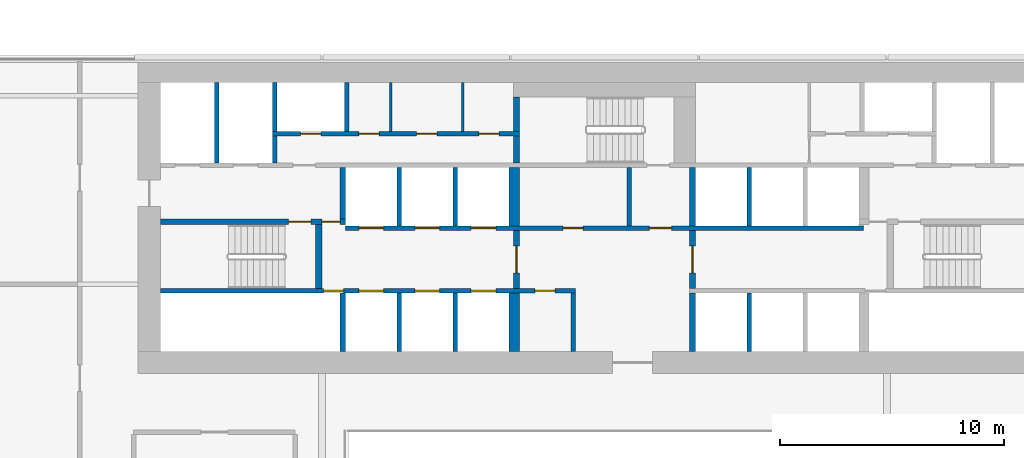
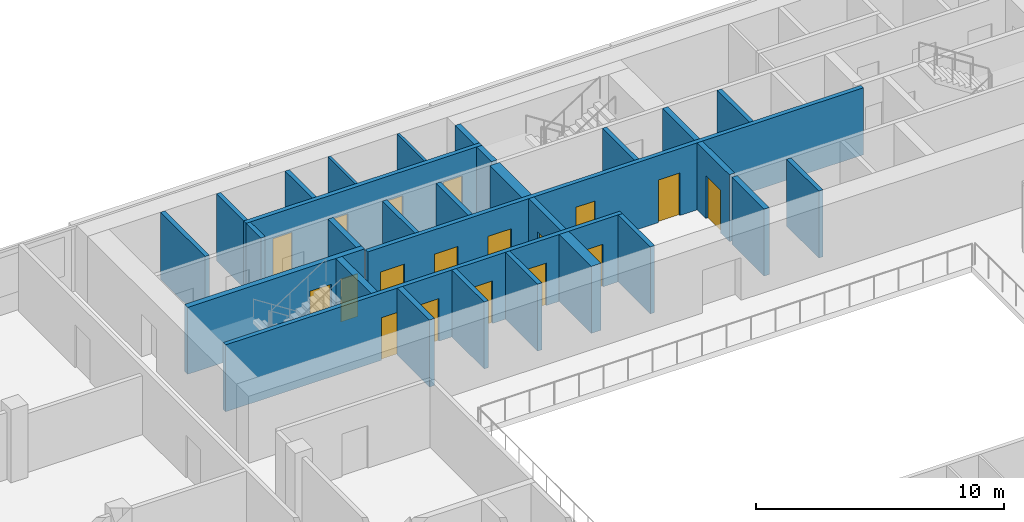
# One storey, part 20 of 26: 29 walls, 18 doors, 18 openings.
"""IFC4 building model written with IfcOpenShell, lengths in metres."""

from ifc_helpers import new_model, si_unit, direction, frame, frame_2d, origin, place, context, subcontext, project, spatial, rectangle, extrude, material, layer, layer_set, type_object, element, fill, save


model = new_model("IFC4")

# Units and contexts
model_context = context("Model", 3, precision=1e-05, world=origin(), true_north=direction((0.0, 1.0)))
body_context = subcontext(model_context, "Body", "Model", "MODEL_VIEW")
ifc_project = project(units=[si_unit("LENGTHUNIT", "METRE"), si_unit("AREAUNIT", "SQUARE_METRE"), si_unit("VOLUMEUNIT", "CUBIC_METRE"), si_unit("PLANEANGLEUNIT", "RADIAN"), si_unit("MASSUNIT", "GRAM", prefix="KILO")], contexts=[model_context])

# Site, building, storey
site_placement = place(None, origin())
site = spatial("IfcSite", under=ifc_project, at=site_placement, CompositionType="ELEMENT")
building_placement = place(site_placement, origin())
building = spatial("IfcBuilding", under=site, at=building_placement, Name="Saffron Gate Tower", CompositionType="ELEMENT")
storey_placement = place(building_placement, frame((0.0, 0.0, 138.449951171875)))
storey = spatial("IfcBuildingStorey", under=building, at=storey_placement, Name="L33", CompositionType="ELEMENT", Elevation=138.449951171875)

# Walls
ifc_material_1 = material(Name="Gypsum board partition on steel studs", Category="steel")
ifc_layer_1 = layer(ifc_material_1, 0.199951171875)
ifc_layer_set_1 = layer_set([ifc_layer_1], Name="CW10 Core partition 200")
wall_type_1 = type_object("IfcWallType", Name="CW10 Core partition 200", PredefinedType="PARTITIONING", material=ifc_layer_set_1)
for number, where, z_axis, x_axis, name in (
    (1, (86.199951171875, 62.39990234375, 0.0), (0.0, 0.0, 1.0), (0.0, 1.0, 0.0), "Wall CW10-L33-9"),
    (2, (88.699951171875, 68.0, 0.0), (0.0, 0.0, 1.0), (0.0, 1.0, 0.0), "Wall CW10-L33-24"),
):
    element("IfcWall", number, at=place(storey_placement, frame(where, z_axis=z_axis, x_axis=x_axis)), inside=storey, type_object=wall_type_1, Name=name, PredefinedType="PARTITIONING", context=body_context, shape_type="SweptSolid", body=[
        extrude(rectangle(XDim=2.60009765625, YDim=0.199951171875, at=frame_2d((1.300048828125, 0.0))), origin(), (0.0, 0.0, 1.0), 3.300048828125),
    ])
ifc_material_2 = material(Name="Concrete C70", Category="concrete")
ifc_layer_2 = layer(ifc_material_2, 0.25)
ifc_layer_set_2 = layer_set([ifc_layer_2], Name="CW2 RC core wall 250 C70")
wall_type_2 = type_object("IfcWallType", Name="CW2 RC core wall 250 C70", PredefinedType="SOLIDWALL", material=ifc_layer_set_2)
for number, where, z_axis, x_axis, name in (
    (3, (75.925048828125, 62.39990234375, 0.0), (0.0, 0.0, 1.0), (0.0, 1.0, 0.0), "Wall CW2-L33-5"),
    (4, (91.52490234375, 62.39990234375, 0.0), (0.0, 0.0, 1.0), (0.0, 1.0, 0.0), "Wall CW2-L33-10"),
):
    element("IfcWall", number, at=place(storey_placement, frame(where, z_axis=z_axis, x_axis=x_axis)), inside=storey, type_object=wall_type_2, Name=name, PredefinedType="SOLIDWALL", context=body_context, shape_type="SweptSolid", body=[
        extrude(rectangle(XDim=2.60009765625, YDim=0.25, at=frame_2d((1.300048828125, 0.0))), origin(), (0.0, 0.0, 1.0), 3.300048828125),
    ])

# Wall, opening, door
wall_1_placement = place(storey_placement, frame((83.675048828125, 65.199951171875, 0.0), z_axis=(0.0, 0.0, 1.0), x_axis=(0.0, 1.0, 0.0)))
wall_1 = element("IfcWall", 5, at=wall_1_placement, inside=storey, type_object=wall_type_2, Name="Wall CW2-L33-17", PredefinedType="SOLIDWALL", context=body_context, shape_type="SweptSolid", body=[
    extrude(rectangle(XDim=2.60009765625, YDim=0.25, at=frame_2d((1.300048828125, 0.0))), origin(), (0.0, 0.0, 1.0), 3.300048828125),
])
opening_1_placement = place(wall_1_placement, frame((0.699951171875, 0.0, 0.0)))
opening_1 = element("IfcOpeningElement", 6, at=opening_1_placement, cuts=wall_1, Name="Opening CR-07", PredefinedType="OPENING", context=body_context, shape_type="SweptSolid", body=[
    extrude(rectangle(XDim=1.199951171875, YDim=2.10009765625, at=frame_2d((0.60009765625, 1.050048828125))), frame((0.0, 0.135009765625, 0.0), z_axis=(0.0, -1.0, 0.0), x_axis=(1.0, 0.0, 0.0)), (0.0, 0.0, 1.0), 0.27001953125),
])
ifc_material_3 = material(Name="Steel fire door set", Category="steel")
door_type_1 = type_object("IfcDoorType", Name="CD3 Lobby door 1200x2100 EI 120", OperationType="NOTDEFINED", PredefinedType="DOOR", material=ifc_material_3)
door_1_placement = place(opening_1_placement, origin())
door_1 = element("IfcDoor", 7, at=door_1_placement, inside=storey, type_object=door_type_1, Name="DOOR CR-07", OperationType="SINGLE_SWING_RIGHT", OverallHeight=2.10009765625, OverallWidth=1.199951171875, PredefinedType="DOOR", context=body_context, shape_type="SweptSolid", body=[
    extrude(rectangle(XDim=1.199951171875, YDim=2.10009765625, at=frame_2d((0.60009765625, 1.050048828125))), frame((0.0, 0.02490234375, 0.0), z_axis=(0.0, -1.0, 0.0), x_axis=(1.0, 0.0, 0.0)), (0.0, 0.0, 1.0), 0.050048828125),
])
fill(opening_1, door_1)

wall_2_placement = place(storey_placement, frame((91.52490234375, 65.199951171875, 0.0), z_axis=(0.0, 0.0, 1.0), x_axis=(0.0, 1.0, 0.0)))
wall_2 = element("IfcWall", 8, at=wall_2_placement, inside=storey, type_object=wall_type_2, Name="Wall CW2-L33-18", PredefinedType="SOLIDWALL", context=body_context, shape_type="SweptSolid", body=[
    extrude(rectangle(XDim=2.60009765625, YDim=0.25, at=frame_2d((1.300048828125, 0.0))), origin(), (0.0, 0.0, 1.0), 3.300048828125),
])
opening_2_placement = place(wall_2_placement, frame((0.699951171875, 0.0, 0.0)))
opening_2 = element("IfcOpeningElement", 9, at=opening_2_placement, cuts=wall_2, Name="Opening CR-01", PredefinedType="OPENING", context=body_context, shape_type="SweptSolid", body=[
    extrude(rectangle(XDim=1.199951171875, YDim=2.10009765625, at=frame_2d((0.60009765625, 1.050048828125))), frame((0.0, 0.135009765625, 0.0), z_axis=(0.0, -1.0, 0.0), x_axis=(1.0, 0.0, 0.0)), (0.0, 0.0, 1.0), 0.27001953125),
])
door_2_placement = place(opening_2_placement, origin())
door_2 = element("IfcDoor", 10, at=door_2_placement, inside=storey, type_object=door_type_1, Name="DOOR CR-01", OperationType="SINGLE_SWING_RIGHT", OverallHeight=2.10009765625, OverallWidth=1.199951171875, PredefinedType="DOOR", context=body_context, shape_type="SweptSolid", body=[
    extrude(rectangle(XDim=1.199951171875, YDim=2.10009765625, at=frame_2d((0.60009765625, 1.050048828125))), frame((0.0, 0.02490234375, 0.0), z_axis=(0.0, -1.0, 0.0), x_axis=(1.0, 0.0, 0.0)), (0.0, 0.0, 1.0), 0.050048828125),
])
fill(opening_2, door_2)

# Wall
wall_3_placement = place(storey_placement, frame((91.52490234375, 68.0, 0.0), z_axis=(0.0, 0.0, 1.0), x_axis=(0.0, 1.0, 0.0)))
element("IfcWall", 11, at=wall_3_placement, inside=storey, type_object=wall_type_2, Name="Wall CW2-L33-25", PredefinedType="SOLIDWALL", context=body_context, shape_type="SweptSolid", body=[
    extrude(rectangle(XDim=2.60009765625, YDim=0.25, at=frame_2d((1.300048828125, 0.0))), origin(), (0.0, 0.0, 1.0), 3.300048828125),
])

# Wall, openings, doors
wall_4_placement = place(storey_placement, frame((67.800048828125, 68.175048828125, 0.0), z_axis=(0.0, 0.0, 1.0), x_axis=(1.0, 0.0, 0.0)))
wall_4 = element("IfcWall", 12, at=wall_4_placement, inside=storey, type_object=wall_type_2, Name="Wall CW2-L33-29", PredefinedType="SOLIDWALL", context=body_context, shape_type="SweptSolid", body=[
    extrude(rectangle(XDim=8.25, YDim=0.25, at=frame_2d((4.125, 0.0))), origin(), (0.0, 0.0, 1.0), 3.300048828125),
])
opening_3_placement = place(wall_4_placement, frame((5.699951171875, 0.0, 0.0)))
opening_3 = element("IfcOpeningElement", 13, at=opening_3_placement, cuts=wall_4, Name="Opening CR-15", PredefinedType="OPENING", context=body_context, shape_type="SweptSolid", body=[
    extrude(rectangle(XDim=1.0, YDim=2.10009765625, at=frame_2d((0.5, 1.050048828125))), frame((0.0, 0.135009765625, 0.0), z_axis=(0.0, -1.0, 0.0), x_axis=(1.0, 0.0, 0.0)), (0.0, 0.0, 1.0), 0.27001953125),
])
opening_4_placement = place(wall_4_placement, frame((7.199951171875, 0.0, 0.0)))
opening_4 = element("IfcOpeningElement", 14, at=opening_4_placement, cuts=wall_4, Name="Opening CR-06", PredefinedType="OPENING", context=body_context, shape_type="SweptSolid", body=[
    extrude(rectangle(XDim=0.800048828125, YDim=2.10009765625, at=frame_2d((0.39990234375, 1.050048828125))), frame((0.0, 0.135009765625, 0.0), z_axis=(0.0, -1.0, 0.0), x_axis=(1.0, 0.0, 0.0)), (0.0, 0.0, 1.0), 0.27001953125),
])
door_type_2 = type_object("IfcDoorType", Name="CD5 Stair door 1000x2100 EI 120", OperationType="NOTDEFINED", PredefinedType="DOOR", material=ifc_material_3)
door_3_placement = place(opening_3_placement, origin())
door_3 = element("IfcDoor", 15, at=door_3_placement, inside=storey, type_object=door_type_2, Name="DOOR CR-15", OperationType="SINGLE_SWING_RIGHT", OverallHeight=2.10009765625, OverallWidth=1.0, PredefinedType="DOOR", context=body_context, shape_type="SweptSolid", body=[
    extrude(rectangle(XDim=1.0, YDim=2.10009765625, at=frame_2d((0.5, 1.050048828125))), frame((0.0, 0.02490234375, 0.0), z_axis=(0.0, -1.0, 0.0), x_axis=(1.0, 0.0, 0.0)), (0.0, 0.0, 1.0), 0.050048828125),
])
fill(opening_3, door_3)
door_type_3 = type_object("IfcDoorType", Name="CD6 Lobby door 800x2100 EI 120", OperationType="NOTDEFINED", PredefinedType="DOOR", material=ifc_material_3)
door_4_placement = place(opening_4_placement, origin())
door_4 = element("IfcDoor", 16, at=door_4_placement, inside=storey, type_object=door_type_3, Name="DOOR CR-06", OperationType="SINGLE_SWING_LEFT", OverallHeight=2.10009765625, OverallWidth=0.800048828125, PredefinedType="DOOR", context=body_context, shape_type="SweptSolid", body=[
    extrude(rectangle(XDim=0.800048828125, YDim=2.10009765625, at=frame_2d((0.39990234375, 1.050048828125))), frame((0.0, 0.02490234375, 0.0), z_axis=(0.0, -1.0, 0.0), x_axis=(1.0, 0.0, 0.0)), (0.0, 0.0, 1.0), 0.050048828125),
])
fill(opening_4, door_4)

# Walls
wall_5_placement = place(storey_placement, frame((75.925048828125, 68.300048828125, 0.0), z_axis=(0.0, 0.0, 1.0), x_axis=(0.0, 1.0, 0.0)))
element("IfcWall", 17, at=wall_5_placement, inside=storey, type_object=wall_type_2, Name="Wall CW2-L33-31", PredefinedType="SOLIDWALL", context=body_context, shape_type="SweptSolid", body=[
    extrude(rectangle(XDim=2.300048828125, YDim=0.25, at=frame_2d((1.14990234375, 0.0))), origin(), (0.0, 0.0, 1.0), 3.300048828125),
])
wall_6_placement = place(storey_placement, frame((83.675048828125, 70.800048828125, 0.0), z_axis=(0.0, 0.0, 1.0), x_axis=(0.0, 1.0, 0.0)))
element("IfcWall", 18, at=wall_6_placement, inside=storey, type_object=wall_type_2, Name="Wall CW2-L33-36", PredefinedType="SOLIDWALL", context=body_context, shape_type="SweptSolid", body=[
    extrude(rectangle(XDim=1.199951171875, YDim=0.25, at=frame_2d((0.60009765625, 0.0))), origin(), (0.0, 0.0, 1.0), 3.300048828125),
])
wall_7_placement = place(storey_placement, frame((83.675048828125, 72.199951171875, 0.0), z_axis=(0.0, 0.0, 1.0), x_axis=(0.0, 1.0, 0.0)))
element("IfcWall", 19, at=wall_7_placement, inside=storey, type_object=wall_type_2, Name="Wall CW2-L33-47", PredefinedType="SOLIDWALL", context=body_context, shape_type="SweptSolid", body=[
    extrude(rectangle(XDim=1.550048828125, YDim=0.25, at=frame_2d((0.77490234375, 0.0))), origin(), (0.0, 0.0, 1.0), 3.300048828125),
])
ifc_layer_3 = layer(ifc_material_2, 0.199951171875)
ifc_layer_set_3 = layer_set([ifc_layer_3], Name="CW3 RC core wall 200 C70")
wall_type_3 = type_object("IfcWallType", Name="CW3 RC core wall 200 C70", PredefinedType="SOLIDWALL", material=ifc_layer_set_3)
for number, where, z_axis, x_axis, name in (
    (20, (78.449951171875, 62.39990234375, 0.0), (0.0, 0.0, 1.0), (0.0, 1.0, 0.0), "Wall CW3-L33-6"),
    (21, (80.949951171875, 62.39990234375, 0.0), (0.0, 0.0, 1.0), (0.0, 1.0, 0.0), "Wall CW3-L33-7"),
    (22, (94.050048828125, 62.39990234375, 0.0), (0.0, 0.0, 1.0), (0.0, 1.0, 0.0), "Wall CW3-L33-11"),
):
    element("IfcWall", number, at=place(storey_placement, frame(where, z_axis=z_axis, x_axis=x_axis)), inside=storey, type_object=wall_type_3, Name=name, PredefinedType="SOLIDWALL", context=body_context, shape_type="SweptSolid", body=[
        extrude(rectangle(XDim=2.60009765625, YDim=0.199951171875, at=frame_2d((1.300048828125, 0.0))), origin(), (0.0, 0.0, 1.0), 3.300048828125),
    ])

# Wall, openings, doors
wall_8_placement = place(storey_placement, frame((67.800048828125, 65.10009765625, 0.0), z_axis=(0.0, 0.0, 1.0), x_axis=(1.0, 0.0, 0.0)))
wall_8 = element("IfcWall", 23, at=wall_8_placement, inside=storey, type_object=wall_type_3, Name="Wall CW3-L33-14", PredefinedType="SOLIDWALL", context=body_context, shape_type="SweptSolid", body=[
    extrude(rectangle(XDim=18.5, YDim=0.199951171875, at=frame_2d((9.25, 0.0))), origin(), (0.0, 0.0, 1.0), 3.300048828125),
])
opening_5_placement = place(wall_8_placement, frame((7.27001953125, 0.0, 0.0)))
opening_5 = element("IfcOpeningElement", 24, at=opening_5_placement, cuts=wall_8, Name="Opening CR-49", PredefinedType="OPENING", context=body_context, shape_type="SweptSolid", body=[
    extrude(rectangle(XDim=0.89990234375, YDim=2.10009765625, at=frame_2d((0.449951171875, 1.050048828125))), frame((0.0, 0.10986328125, 0.0), z_axis=(0.0, -1.0, 0.0), x_axis=(1.0, 0.0, 0.0)), (0.0, 0.0, 1.0), 0.219970703125),
])
opening_6_placement = place(wall_8_placement, frame((8.85009765625, 0.0, 0.0)))
opening_6 = element("IfcOpeningElement", 25, at=opening_6_placement, cuts=wall_8, Name="Opening LD-LR1", PredefinedType="OPENING", context=body_context, shape_type="SweptSolid", body=[
    extrude(rectangle(XDim=1.10009765625, YDim=2.10009765625, at=frame_2d((0.550048828125, 1.050048828125))), frame((0.0, 0.10986328125, 0.0), z_axis=(0.0, -1.0, 0.0), x_axis=(1.0, 0.0, 0.0)), (0.0, 0.0, 1.0), 0.219970703125),
])
opening_7_placement = place(wall_8_placement, frame((11.35009765625, 0.0, 0.0)))
opening_7 = element("IfcOpeningElement", 26, at=opening_7_placement, cuts=wall_8, Name="Opening LD-LR2", PredefinedType="OPENING", context=body_context, shape_type="SweptSolid", body=[
    extrude(rectangle(XDim=1.10009765625, YDim=2.10009765625, at=frame_2d((0.550048828125, 1.050048828125))), frame((0.0, 0.10986328125, 0.0), z_axis=(0.0, -1.0, 0.0), x_axis=(1.0, 0.0, 0.0)), (0.0, 0.0, 1.0), 0.219970703125),
])
opening_8_placement = place(wall_8_placement, frame((13.85009765625, 0.0, 0.0)))
opening_8 = element("IfcOpeningElement", 27, at=opening_8_placement, cuts=wall_8, Name="Opening LD-LR3", PredefinedType="OPENING", context=body_context, shape_type="SweptSolid", body=[
    extrude(rectangle(XDim=1.10009765625, YDim=2.10009765625, at=frame_2d((0.550048828125, 1.050048828125))), frame((0.0, 0.10986328125, 0.0), z_axis=(0.0, -1.0, 0.0), x_axis=(1.0, 0.0, 0.0)), (0.0, 0.0, 1.0), 0.219970703125),
])
opening_9_placement = place(wall_8_placement, frame((16.699951171875, 0.0, 0.0)))
opening_9 = element("IfcOpeningElement", 28, at=opening_9_placement, cuts=wall_8, Name="Opening CR-69", PredefinedType="OPENING", context=body_context, shape_type="SweptSolid", body=[
    extrude(rectangle(XDim=0.89990234375, YDim=2.10009765625, at=frame_2d((0.449951171875, 1.050048828125))), frame((0.0, 0.10986328125, 0.0), z_axis=(0.0, -1.0, 0.0), x_axis=(1.0, 0.0, 0.0)), (0.0, 0.0, 1.0), 0.219970703125),
])
door_type_4 = type_object("IfcDoorType", Name="CD2 Riser door 900x2100 EI 60", OperationType="NOTDEFINED", PredefinedType="DOOR", material=ifc_material_3)
door_5_placement = place(opening_5_placement, origin())
door_5 = element("IfcDoor", 29, at=door_5_placement, inside=storey, type_object=door_type_4, Name="DOOR CR-49", OperationType="SINGLE_SWING_LEFT", OverallHeight=2.10009765625, OverallWidth=0.89990234375, PredefinedType="DOOR", context=body_context, shape_type="SweptSolid", body=[
    extrude(rectangle(XDim=0.89990234375, YDim=2.10009765625, at=frame_2d((0.449951171875, 1.050048828125))), frame((0.0, 0.02490234375, 0.0), z_axis=(0.0, -1.0, 0.0), x_axis=(1.0, 0.0, 0.0)), (0.0, 0.0, 1.0), 0.050048828125),
])
fill(opening_5, door_5)
door_type_5 = type_object("IfcDoorType", Name="CD9 Room door 900x2100 EI 60", OperationType="NOTDEFINED", PredefinedType="DOOR", material=ifc_material_3)
door_6_placement = place(opening_9_placement, origin())
door_6 = element("IfcDoor", 30, at=door_6_placement, inside=storey, type_object=door_type_5, Name="DOOR CR-69", OperationType="SINGLE_SWING_RIGHT", OverallHeight=2.10009765625, OverallWidth=0.89990234375, PredefinedType="DOOR", context=body_context, shape_type="SweptSolid", body=[
    extrude(rectangle(XDim=0.89990234375, YDim=2.10009765625, at=frame_2d((0.449951171875, 1.050048828125))), frame((0.0, 0.02490234375, 0.0), z_axis=(0.0, -1.0, 0.0), x_axis=(1.0, 0.0, 0.0)), (0.0, 0.0, 1.0), 0.050048828125),
])
fill(opening_9, door_6)
ifc_material_4 = material(Name="Stainless steel landing door", Category="steel")
door_type_6 = type_object("IfcDoorType", Name="LD Lift landing door 1100x2100 EI 120", OperationType="SLIDING_TO_LEFT", PredefinedType="DOOR", material=ifc_material_4)
door_7_placement = place(opening_6_placement, origin())
door_7 = element("IfcDoor", 31, at=door_7_placement, inside=storey, type_object=door_type_6, Name="LANDING DOOR LD-LR1", OperationType="SLIDING_TO_LEFT", OverallHeight=2.10009765625, OverallWidth=1.10009765625, PredefinedType="DOOR", context=body_context, shape_type="SweptSolid", body=[
    extrude(rectangle(XDim=1.10009765625, YDim=2.10009765625, at=frame_2d((0.550048828125, 1.050048828125))), frame((0.0, 0.02490234375, 0.0), z_axis=(0.0, -1.0, 0.0), x_axis=(1.0, 0.0, 0.0)), (0.0, 0.0, 1.0), 0.050048828125),
])
fill(opening_6, door_7)
door_8_placement = place(opening_7_placement, origin())
door_8 = element("IfcDoor", 32, at=door_8_placement, inside=storey, type_object=door_type_6, Name="LANDING DOOR LD-LR2", OperationType="SLIDING_TO_LEFT", OverallHeight=2.10009765625, OverallWidth=1.10009765625, PredefinedType="DOOR", context=body_context, shape_type="SweptSolid", body=[
    extrude(rectangle(XDim=1.10009765625, YDim=2.10009765625, at=frame_2d((0.550048828125, 1.050048828125))), frame((0.0, 0.02490234375, 0.0), z_axis=(0.0, -1.0, 0.0), x_axis=(1.0, 0.0, 0.0)), (0.0, 0.0, 1.0), 0.050048828125),
])
fill(opening_7, door_8)
door_9_placement = place(opening_8_placement, origin())
door_9 = element("IfcDoor", 33, at=door_9_placement, inside=storey, type_object=door_type_6, Name="LANDING DOOR LD-LR3", OperationType="SLIDING_TO_LEFT", OverallHeight=2.10009765625, OverallWidth=1.10009765625, PredefinedType="DOOR", context=body_context, shape_type="SweptSolid", body=[
    extrude(rectangle(XDim=1.10009765625, YDim=2.10009765625, at=frame_2d((0.550048828125, 1.050048828125))), frame((0.0, 0.02490234375, 0.0), z_axis=(0.0, -1.0, 0.0), x_axis=(1.0, 0.0, 0.0)), (0.0, 0.0, 1.0), 0.050048828125),
])
fill(opening_8, door_9)

wall_9_placement = place(storey_placement, frame((76.050048828125, 67.89990234375, 0.0), z_axis=(0.0, 0.0, 1.0), x_axis=(1.0, 0.0, 0.0)))
wall_9 = element("IfcWall", 34, at=wall_9_placement, inside=storey, type_object=wall_type_3, Name="Wall CW3-L33-20", PredefinedType="SOLIDWALL", context=body_context, shape_type="SweptSolid", body=[
    extrude(rectangle(XDim=23.099853515625, YDim=0.199951171875, at=frame_2d((11.5498046875, 0.0))), origin(), (0.0, 0.0, 1.0), 3.300048828125),
])
opening_10_placement = place(wall_9_placement, frame((0.60009765625, 0.0, 0.0)))
opening_10 = element("IfcOpeningElement", 35, at=opening_10_placement, cuts=wall_9, Name="Opening LD-LR4", PredefinedType="OPENING", context=body_context, shape_type="SweptSolid", body=[
    extrude(rectangle(XDim=1.10009765625, YDim=2.10009765625, at=frame_2d((0.550048828125, 1.050048828125))), frame((0.0, 0.10986328125, 0.0), z_axis=(0.0, -1.0, 0.0), x_axis=(1.0, 0.0, 0.0)), (0.0, 0.0, 1.0), 0.219970703125),
])
opening_11_placement = place(wall_9_placement, frame((3.10009765625, 0.0, 0.0)))
opening_11 = element("IfcOpeningElement", 36, at=opening_11_placement, cuts=wall_9, Name="Opening LD-LR5", PredefinedType="OPENING", context=body_context, shape_type="SweptSolid", body=[
    extrude(rectangle(XDim=1.10009765625, YDim=2.10009765625, at=frame_2d((0.550048828125, 1.050048828125))), frame((0.0, 0.10986328125, 0.0), z_axis=(0.0, -1.0, 0.0), x_axis=(1.0, 0.0, 0.0)), (0.0, 0.0, 1.0), 0.219970703125),
])
opening_12_placement = place(wall_9_placement, frame((5.60009765625, 0.0, 0.0)))
opening_12 = element("IfcOpeningElement", 37, at=opening_12_placement, cuts=wall_9, Name="Opening LD-LR6", PredefinedType="OPENING", context=body_context, shape_type="SweptSolid", body=[
    extrude(rectangle(XDim=1.10009765625, YDim=2.10009765625, at=frame_2d((0.550048828125, 1.050048828125))), frame((0.0, 0.10986328125, 0.0), z_axis=(0.0, -1.0, 0.0), x_axis=(1.0, 0.0, 0.0)), (0.0, 0.0, 1.0), 0.219970703125),
])
opening_13_placement = place(wall_9_placement, frame((9.699951171875, 0.0, 0.0)))
opening_13 = element("IfcOpeningElement", 38, at=opening_13_placement, cuts=wall_9, Name="Opening CR-67", PredefinedType="OPENING", context=body_context, shape_type="SweptSolid", body=[
    extrude(rectangle(XDim=0.89990234375, YDim=2.10009765625, at=frame_2d((0.449951171875, 1.050048828125))), frame((0.0, 0.10986328125, 0.0), z_axis=(0.0, -1.0, 0.0), x_axis=(1.0, 0.0, 0.0)), (0.0, 0.0, 1.0), 0.219970703125),
])
opening_14_placement = place(wall_9_placement, frame((13.550048828125, 0.0, 0.0)))
opening_14 = element("IfcOpeningElement", 39, at=opening_14_placement, cuts=wall_9, Name="Opening CR-02", PredefinedType="OPENING", context=body_context, shape_type="SweptSolid", body=[
    extrude(rectangle(XDim=1.0, YDim=2.10009765625, at=frame_2d((0.5, 1.050048828125))), frame((0.0, 0.10986328125, 0.0), z_axis=(0.0, -1.0, 0.0), x_axis=(1.0, 0.0, 0.0)), (0.0, 0.0, 1.0), 0.219970703125),
])
door_type_7 = type_object("IfcDoorType", Name="CD4 Lobby door 1000x2100 EI 120", OperationType="NOTDEFINED", PredefinedType="DOOR", material=ifc_material_3)
door_10_placement = place(opening_14_placement, origin())
door_10 = element("IfcDoor", 40, at=door_10_placement, inside=storey, type_object=door_type_7, Name="DOOR CR-02", OperationType="SINGLE_SWING_LEFT", OverallHeight=2.10009765625, OverallWidth=1.0, PredefinedType="DOOR", context=body_context, shape_type="SweptSolid", body=[
    extrude(rectangle(XDim=1.0, YDim=2.10009765625, at=frame_2d((0.5, 1.050048828125))), frame((0.0, 0.02490234375, 0.0), z_axis=(0.0, -1.0, 0.0), x_axis=(1.0, 0.0, 0.0)), (0.0, 0.0, 1.0), 0.050048828125),
])
fill(opening_14, door_10)
door_11_placement = place(opening_13_placement, origin())
door_11 = element("IfcDoor", 41, at=door_11_placement, inside=storey, type_object=door_type_5, Name="DOOR CR-67", OperationType="SINGLE_SWING_LEFT", OverallHeight=2.10009765625, OverallWidth=0.89990234375, PredefinedType="DOOR", context=body_context, shape_type="SweptSolid", body=[
    extrude(rectangle(XDim=0.89990234375, YDim=2.10009765625, at=frame_2d((0.449951171875, 1.050048828125))), frame((0.0, 0.02490234375, 0.0), z_axis=(0.0, -1.0, 0.0), x_axis=(1.0, 0.0, 0.0)), (0.0, 0.0, 1.0), 0.050048828125),
])
fill(opening_13, door_11)
door_12_placement = place(opening_10_placement, origin())
door_12 = element("IfcDoor", 42, at=door_12_placement, inside=storey, type_object=door_type_6, Name="LANDING DOOR LD-LR4", OperationType="SLIDING_TO_RIGHT", OverallHeight=2.10009765625, OverallWidth=1.10009765625, PredefinedType="DOOR", context=body_context, shape_type="SweptSolid", body=[
    extrude(rectangle(XDim=1.10009765625, YDim=2.10009765625, at=frame_2d((0.550048828125, 1.050048828125))), frame((0.0, 0.02490234375, 0.0), z_axis=(0.0, -1.0, 0.0), x_axis=(1.0, 0.0, 0.0)), (0.0, 0.0, 1.0), 0.050048828125),
])
fill(opening_10, door_12)
door_13_placement = place(opening_11_placement, origin())
door_13 = element("IfcDoor", 43, at=door_13_placement, inside=storey, type_object=door_type_6, Name="LANDING DOOR LD-LR5", OperationType="SLIDING_TO_RIGHT", OverallHeight=2.10009765625, OverallWidth=1.10009765625, PredefinedType="DOOR", context=body_context, shape_type="SweptSolid", body=[
    extrude(rectangle(XDim=1.10009765625, YDim=2.10009765625, at=frame_2d((0.550048828125, 1.050048828125))), frame((0.0, 0.02490234375, 0.0), z_axis=(0.0, -1.0, 0.0), x_axis=(1.0, 0.0, 0.0)), (0.0, 0.0, 1.0), 0.050048828125),
])
fill(opening_11, door_13)
door_14_placement = place(opening_12_placement, origin())
door_14 = element("IfcDoor", 44, at=door_14_placement, inside=storey, type_object=door_type_6, Name="LANDING DOOR LD-LR6", OperationType="SLIDING_TO_RIGHT", OverallHeight=2.10009765625, OverallWidth=1.10009765625, PredefinedType="DOOR", context=body_context, shape_type="SweptSolid", body=[
    extrude(rectangle(XDim=1.10009765625, YDim=2.10009765625, at=frame_2d((0.550048828125, 1.050048828125))), frame((0.0, 0.02490234375, 0.0), z_axis=(0.0, -1.0, 0.0), x_axis=(1.0, 0.0, 0.0)), (0.0, 0.0, 1.0), 0.050048828125),
])
fill(opening_12, door_14)

# Walls
for number, where, z_axis, x_axis, name in (
    (45, (78.449951171875, 68.0, 0.0), (0.0, 0.0, 1.0), (0.0, 1.0, 0.0), "Wall CW3-L33-21"),
    (46, (80.949951171875, 68.0, 0.0), (0.0, 0.0, 1.0), (0.0, 1.0, 0.0), "Wall CW3-L33-22"),
    (47, (94.050048828125, 68.0, 0.0), (0.0, 0.0, 1.0), (0.0, 1.0, 0.0), "Wall CW3-L33-26"),
):
    element("IfcWall", number, at=place(storey_placement, frame(where, z_axis=z_axis, x_axis=x_axis)), inside=storey, type_object=wall_type_3, Name=name, PredefinedType="SOLIDWALL", context=body_context, shape_type="SweptSolid", body=[
        extrude(rectangle(XDim=2.60009765625, YDim=0.199951171875, at=frame_2d((1.300048828125, 0.0))), origin(), (0.0, 0.0, 1.0), 3.300048828125),
    ])
wall_10_placement = place(storey_placement, frame((70.300048828125, 70.800048828125, 0.0), z_axis=(0.0, 0.0, 1.0), x_axis=(0.0, 1.0, 0.0)))
element("IfcWall", 48, at=wall_10_placement, inside=storey, type_object=wall_type_3, Name="Wall CW3-L33-34", PredefinedType="SOLIDWALL", context=body_context, shape_type="SweptSolid", body=[
    extrude(rectangle(XDim=3.599853515625, YDim=0.199951171875, at=frame_2d((1.7998046875, 0.0))), origin(), (0.0, 0.0, 1.0), 3.300048828125),
])
wall_11_placement = place(storey_placement, frame((72.89990234375, 70.800048828125, 0.0), z_axis=(0.0, 0.0, 1.0), x_axis=(0.0, 1.0, 0.0)))
element("IfcWall", 49, at=wall_11_placement, inside=storey, type_object=wall_type_3, Name="Wall CW3-L33-35", PredefinedType="SOLIDWALL", context=body_context, shape_type="SweptSolid", body=[
    extrude(rectangle(XDim=1.199951171875, YDim=0.199951171875, at=frame_2d((0.60009765625, 0.0))), origin(), (0.0, 0.0, 1.0), 3.300048828125),
])

# Wall, openings, doors
wall_12_placement = place(storey_placement, frame((72.800048828125, 72.10009765625, 0.0), z_axis=(0.0, 0.0, 1.0), x_axis=(1.0, 0.0, 0.0)))
wall_12 = element("IfcWall", 50, at=wall_12_placement, inside=storey, type_object=wall_type_3, Name="Wall CW3-L33-41", PredefinedType="SOLIDWALL", context=body_context, shape_type="SweptSolid", body=[
    extrude(rectangle(XDim=11.0, YDim=0.199951171875, at=frame_2d((5.5, 0.0))), origin(), (0.0, 0.0, 1.0), 3.300048828125),
])
opening_15_placement = place(wall_12_placement, frame((1.25, 0.0, 0.0)))
opening_15 = element("IfcOpeningElement", 51, at=opening_15_placement, cuts=wall_12, Name="Opening CR-71", PredefinedType="OPENING", context=body_context, shape_type="SweptSolid", body=[
    extrude(rectangle(XDim=0.89990234375, YDim=2.10009765625, at=frame_2d((0.449951171875, 1.050048828125))), frame((0.0, 0.10986328125, 0.0), z_axis=(0.0, -1.0, 0.0), x_axis=(1.0, 0.0, 0.0)), (0.0, 0.0, 1.0), 0.219970703125),
])
opening_16_placement = place(wall_12_placement, frame((3.85009765625, 0.0, 0.0)))
opening_16 = element("IfcOpeningElement", 52, at=opening_16_placement, cuts=wall_12, Name="Opening CR-55", PredefinedType="OPENING", context=body_context, shape_type="SweptSolid", body=[
    extrude(rectangle(XDim=0.89990234375, YDim=2.10009765625, at=frame_2d((0.449951171875, 1.050048828125))), frame((0.0, 0.10986328125, 0.0), z_axis=(0.0, -1.0, 0.0), x_axis=(1.0, 0.0, 0.0)), (0.0, 0.0, 1.0), 0.219970703125),
])
opening_17_placement = place(wall_12_placement, frame((6.419921875, 0.0, 0.0)))
opening_17 = element("IfcOpeningElement", 53, at=opening_17_placement, cuts=wall_12, Name="Opening CR-58", PredefinedType="OPENING", context=body_context, shape_type="SweptSolid", body=[
    extrude(rectangle(XDim=0.89990234375, YDim=2.10009765625, at=frame_2d((0.449951171875, 1.050048828125))), frame((0.0, 0.10986328125, 0.0), z_axis=(0.0, -1.0, 0.0), x_axis=(1.0, 0.0, 0.0)), (0.0, 0.0, 1.0), 0.219970703125),
])
opening_18_placement = place(wall_12_placement, frame((9.195068359375, 0.0, 0.0)))
opening_18 = element("IfcOpeningElement", 54, at=opening_18_placement, cuts=wall_12, Name="Opening CR-59", PredefinedType="OPENING", context=body_context, shape_type="SweptSolid", body=[
    extrude(rectangle(XDim=0.89990234375, YDim=2.10009765625, at=frame_2d((0.449951171875, 1.050048828125))), frame((0.0, 0.10986328125, 0.0), z_axis=(0.0, -1.0, 0.0), x_axis=(1.0, 0.0, 0.0)), (0.0, 0.0, 1.0), 0.219970703125),
])
door_15_placement = place(opening_15_placement, origin())
door_15 = element("IfcDoor", 55, at=door_15_placement, inside=storey, type_object=door_type_4, Name="DOOR CR-71", OperationType="SINGLE_SWING_LEFT", OverallHeight=2.10009765625, OverallWidth=0.89990234375, PredefinedType="DOOR", context=body_context, shape_type="SweptSolid", body=[
    extrude(rectangle(XDim=0.89990234375, YDim=2.10009765625, at=frame_2d((0.449951171875, 1.050048828125))), frame((0.0, 0.02490234375, 0.0), z_axis=(0.0, -1.0, 0.0), x_axis=(1.0, 0.0, 0.0)), (0.0, 0.0, 1.0), 0.050048828125),
])
fill(opening_15, door_15)
door_16_placement = place(opening_16_placement, origin())
door_16 = element("IfcDoor", 56, at=door_16_placement, inside=storey, type_object=door_type_5, Name="DOOR CR-55", OperationType="SINGLE_SWING_LEFT", OverallHeight=2.10009765625, OverallWidth=0.89990234375, PredefinedType="DOOR", context=body_context, shape_type="SweptSolid", body=[
    extrude(rectangle(XDim=0.89990234375, YDim=2.10009765625, at=frame_2d((0.449951171875, 1.050048828125))), frame((0.0, 0.02490234375, 0.0), z_axis=(0.0, -1.0, 0.0), x_axis=(1.0, 0.0, 0.0)), (0.0, 0.0, 1.0), 0.050048828125),
])
fill(opening_16, door_16)
door_17_placement = place(opening_17_placement, origin())
door_17 = element("IfcDoor", 57, at=door_17_placement, inside=storey, type_object=door_type_5, Name="DOOR CR-58", OperationType="SINGLE_SWING_LEFT", OverallHeight=2.10009765625, OverallWidth=0.89990234375, PredefinedType="DOOR", context=body_context, shape_type="SweptSolid", body=[
    extrude(rectangle(XDim=0.89990234375, YDim=2.10009765625, at=frame_2d((0.449951171875, 1.050048828125))), frame((0.0, 0.02490234375, 0.0), z_axis=(0.0, -1.0, 0.0), x_axis=(1.0, 0.0, 0.0)), (0.0, 0.0, 1.0), 0.050048828125),
])
fill(opening_17, door_17)
door_18_placement = place(opening_18_placement, origin())
door_18 = element("IfcDoor", 58, at=door_18_placement, inside=storey, type_object=door_type_5, Name="DOOR CR-59", OperationType="SINGLE_SWING_LEFT", OverallHeight=2.10009765625, OverallWidth=0.89990234375, PredefinedType="DOOR", context=body_context, shape_type="SweptSolid", body=[
    extrude(rectangle(XDim=0.89990234375, YDim=2.10009765625, at=frame_2d((0.449951171875, 1.050048828125))), frame((0.0, 0.02490234375, 0.0), z_axis=(0.0, -1.0, 0.0), x_axis=(1.0, 0.0, 0.0)), (0.0, 0.0, 1.0), 0.050048828125),
])
fill(opening_18, door_18)

# Walls
for number, where, z_axis, x_axis, name in (
    (59, (72.89990234375, 72.199951171875, 0.0), (0.0, 0.0, 1.0), (0.0, 1.0, 0.0), "Wall CW3-L33-43"),
    (60, (76.10009765625, 72.199951171875, 0.0), (0.0, 0.0, 1.0), (0.0, 1.0, 0.0), "Wall CW3-L33-44"),
):
    element("IfcWall", number, at=place(storey_placement, frame(where, z_axis=z_axis, x_axis=x_axis)), inside=storey, type_object=wall_type_3, Name=name, PredefinedType="SOLIDWALL", context=body_context, shape_type="SweptSolid", body=[
        extrude(rectangle(XDim=2.199951171875, YDim=0.199951171875, at=frame_2d((1.10009765625, 0.0))), origin(), (0.0, 0.0, 1.0), 3.300048828125),
    ])
ifc_layer_4 = layer(ifc_material_2, 0.449951171875)
ifc_layer_set_4 = layer_set([ifc_layer_4], Name="CW4 RC core wall 450 C70")
wall_type_4 = type_object("IfcWallType", Name="CW4 RC core wall 450 C70", PredefinedType="SOLIDWALL", material=ifc_layer_set_4)
for number, where, z_axis, x_axis, name in (
    (61, (83.574951171875, 62.39990234375, 0.0), (0.0, 0.0, 1.0), (0.0, 1.0, 0.0), "Wall CW4-L33-8"),
    (62, (83.574951171875, 68.0, 0.0), (0.0, 0.0, 1.0), (0.0, 1.0, 0.0), "Wall CW4-L33-23"),
):
    element("IfcWall", number, at=place(storey_placement, frame(where, z_axis=z_axis, x_axis=x_axis)), inside=storey, type_object=wall_type_4, Name=name, PredefinedType="SOLIDWALL", context=body_context, shape_type="SweptSolid", body=[
        extrude(rectangle(XDim=2.60009765625, YDim=0.449951171875, at=frame_2d((1.300048828125, 0.0))), origin(), (0.0, 0.0, 1.0), 3.300048828125),
    ])
ifc_layer_5 = layer(ifc_material_2, 0.300048828125)
ifc_layer_set_5 = layer_set([ifc_layer_5], Name="CW5 RC core wall 300 C70")
wall_type_5 = type_object("IfcWallType", Name="CW5 RC core wall 300 C70", PredefinedType="SOLIDWALL", material=ifc_layer_set_5)
wall_13_placement = place(storey_placement, frame((74.85009765625, 65.199951171875, 0.0), z_axis=(0.0, 0.0, 1.0), x_axis=(0.0, 1.0, 0.0)))
element("IfcWall", 63, at=wall_13_placement, inside=storey, type_object=wall_type_5, Name="Wall CW5-L33-16", PredefinedType="SOLIDWALL", context=body_context, shape_type="SweptSolid", body=[
    extrude(rectangle(XDim=2.85009765625, YDim=0.300048828125, at=frame_2d((1.425048828125, 0.0))), origin(), (0.0, 0.0, 1.0), 3.300048828125),
])
ifc_layer_6 = layer(ifc_material_1, 0.1201171875)
ifc_layer_set_6 = layer_set([ifc_layer_6], Name="CW8 Core partition 120")
wall_type_6 = type_object("IfcWallType", Name="CW8 Core partition 120", PredefinedType="PARTITIONING", material=ifc_layer_set_6)
for number, where, z_axis, x_axis, name in (
    (64, (78.06005859375, 72.199951171875, 0.0), (0.0, 0.0, 1.0), (0.0, 1.0, 0.0), "Wall CW8-L33-45"),
    (65, (81.280029296875, 72.199951171875, 0.0), (0.0, 0.0, 1.0), (0.0, 1.0, 0.0), "Wall CW8-L33-46"),
):
    element("IfcWall", number, at=place(storey_placement, frame(where, z_axis=z_axis, x_axis=x_axis)), inside=storey, type_object=wall_type_6, Name=name, PredefinedType="PARTITIONING", context=body_context, shape_type="SweptSolid", body=[
        extrude(rectangle(XDim=2.199951171875, YDim=0.1201171875, at=frame_2d((1.10009765625, 0.0))), origin(), (0.0, 0.0, 1.0), 3.300048828125),
    ])

save(model, "model.ifc")
